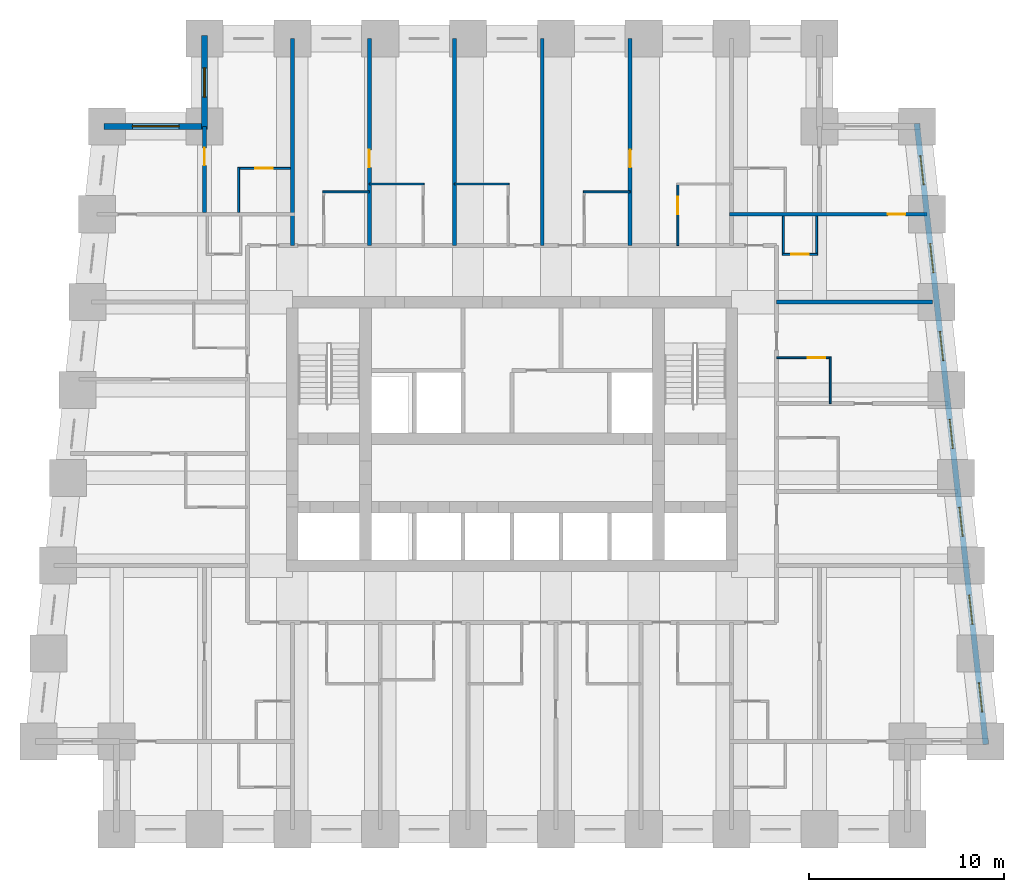
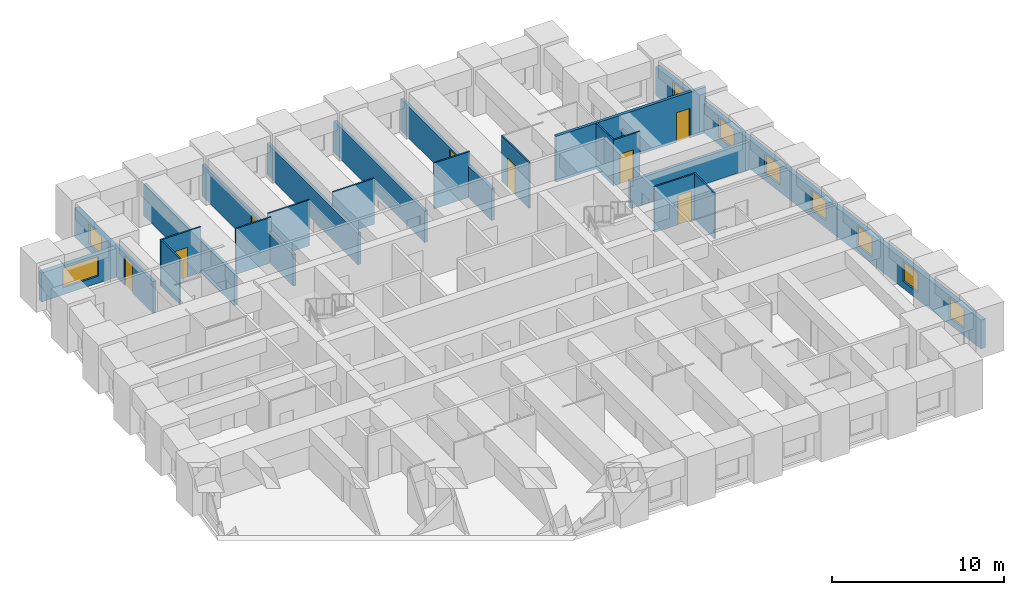
# One storey, part 6 of 8: 23 walls, 9 windows, 8 doors, 17 openings.
"""IFC4 building model written with IfcOpenShell, lengths in metres."""

from ifc_helpers import new_model, si_unit, direction, frame, frame_2d, origin, place, context, subcontext, project, spatial, rectangle, extrude, material, layer, layer_set, type_object, element, fill, save


model = new_model("IFC4")

# Units and contexts
model_context = context("Model", 3, precision=1e-05, world=origin(), true_north=direction((0.0, 1.0)))
body_context = subcontext(model_context, "Body", "Model", "MODEL_VIEW")
ifc_project = project(units=[si_unit("LENGTHUNIT", "METRE"), si_unit("AREAUNIT", "SQUARE_METRE"), si_unit("VOLUMEUNIT", "CUBIC_METRE"), si_unit("PLANEANGLEUNIT", "RADIAN"), si_unit("MASSUNIT", "GRAM", prefix="KILO")], contexts=[model_context])

# Site, building, storey
site_placement = place(None, origin())
site = spatial("IfcSite", under=ifc_project, at=site_placement, CompositionType="ELEMENT")
building_placement = place(site_placement, origin())
building = spatial("IfcBuilding", under=site, at=building_placement, Name="Kilele Tower Hotel", CompositionType="ELEMENT")
storey_placement = place(building_placement, frame((0.0, 0.0, 64.699951171875)))
storey = spatial("IfcBuildingStorey", under=building, at=storey_placement, Name="L15", CompositionType="ELEMENT", Elevation=64.699951171875)

# Wall
ifc_material_1 = material(Name="Moisture-resistant board")
ifc_layer_1 = layer(ifc_material_1, 0.10009765625)
ifc_layer_set_1 = layer_set([ifc_layer_1], Name="Moisture-resistant board")
wall_type_1 = type_object("IfcWallType", Name="Bathroom partition 100", PredefinedType="PLUMBINGWALL", material=ifc_layer_set_1)
wall_1_placement = place(storey_placement, frame((41.050048828125, 21.800048828125, 0.0), z_axis=(0.0, 0.0, 1.0), x_axis=(0.0, 1.0, 0.0)))
element("IfcWall", 1, at=wall_1_placement, inside=storey, type_object=wall_type_1, Name="Bathroom partition 100 L15", PredefinedType="PLUMBINGWALL", context=body_context, shape_type="SweptSolid", body=[
    extrude(rectangle(XDim=2.39990234375, YDim=0.10009765625, at=frame_2d((1.199951171875, 0.0))), origin(), (0.0, 0.0, 1.0), 3.25),
])

# Wall, opening, door
wall_2_placement = place(storey_placement, frame((38.300048828125, 24.14990234375, 0.0), z_axis=(0.0, 0.0, 1.0), x_axis=(1.0, 0.0, 0.0)))
wall_2 = element("IfcWall", 2, at=wall_2_placement, inside=storey, type_object=wall_type_1, Name="Bathroom partition 100 L15", PredefinedType="PLUMBINGWALL", context=body_context, shape_type="SweptSolid", body=[
    extrude(rectangle(XDim=2.800048828125, YDim=0.10009765625, at=frame_2d((1.39990234375, 0.0))), origin(), (0.0, 0.0, 1.0), 3.25),
])
opening_1_placement = place(wall_2_placement, frame((1.60009765625, 0.0, 0.0)))
opening_1 = element("IfcOpeningElement", 3, at=opening_1_placement, cuts=wall_2, Name="Opening D2A", PredefinedType="OPENING", context=body_context, shape_type="SweptSolid", body=[
    extrude(rectangle(XDim=0.89990234375, YDim=2.10009765625, at=frame_2d((0.449951171875, 1.050048828125))), frame((0.0, 0.06005859375, 0.0), z_axis=(0.0, -1.0, 0.0), x_axis=(1.0, 0.0, 0.0)), (0.0, 0.0, 1.0), 0.1201171875),
])
ifc_material_2 = material(Name="Timber door leaf in hardwood frame", Category="wood")
door_type_1 = type_object("IfcDoorType", Name="Bathroom door 900", OperationType="SINGLE_SWING_LEFT", PredefinedType="DOOR", material=ifc_material_2)
door_1_placement = place(opening_1_placement, origin())
door_1 = element("IfcDoor", 4, at=door_1_placement, inside=storey, type_object=door_type_1, Name="Bathroom door 1508B", OperationType="SINGLE_SWING_LEFT", OverallHeight=2.10009765625, OverallWidth=0.89990234375, PredefinedType="DOOR", context=body_context, shape_type="SweptSolid", body=[
    extrude(rectangle(XDim=0.89990234375, YDim=2.10009765625, at=frame_2d((0.449951171875, 1.050048828125))), frame((0.0, 0.02490234375, 0.0), z_axis=(0.0, -1.0, 0.0), x_axis=(1.0, 0.0, 0.0)), (0.0, 0.0, 1.0), 0.050048828125),
])
fill(opening_1, door_1)

# Walls
wall_3_placement = place(storey_placement, frame((15.050048828125, 32.64990234375, 0.0), z_axis=(0.0, 0.0, 1.0), x_axis=(1.0, 0.0, 0.0)))
element("IfcWall", 5, at=wall_3_placement, inside=storey, type_object=wall_type_1, Name="Bathroom partition 100 L15", PredefinedType="PLUMBINGWALL", context=body_context, shape_type="SweptSolid", body=[
    extrude(rectangle(XDim=2.39990234375, YDim=0.10009765625, at=frame_2d((1.199951171875, 0.0))), origin(), (0.0, 0.0, 1.0), 3.25),
])
for number, where, z_axis, x_axis, name in (
    (6, (17.449951171875, 33.050048828125, 0.0), (0.0, 0.0, 1.0), (1.0, 0.0, 0.0), "Bathroom partition 100 L15"),
    (7, (21.800048828125, 33.050048828125, 0.0), (0.0, 0.0, 1.0), (1.0, 0.0, 0.0), "Bathroom partition 100 L15"),
):
    element("IfcWall", number, at=place(storey_placement, frame(where, z_axis=z_axis, x_axis=x_axis)), inside=storey, type_object=wall_type_1, Name=name, PredefinedType="PLUMBINGWALL", context=body_context, shape_type="SweptSolid", body=[
        extrude(rectangle(XDim=2.800048828125, YDim=0.10009765625, at=frame_2d((1.39990234375, 0.0))), origin(), (0.0, 0.0, 1.0), 3.25),
    ])
wall_4_placement = place(storey_placement, frame((28.39990234375, 32.64990234375, 0.0), z_axis=(0.0, 0.0, 1.0), x_axis=(1.0, 0.0, 0.0)))
element("IfcWall", 8, at=wall_4_placement, inside=storey, type_object=wall_type_1, Name="Bathroom partition 100 L15", PredefinedType="PLUMBINGWALL", context=body_context, shape_type="SweptSolid", body=[
    extrude(rectangle(XDim=2.400146484375, YDim=0.10009765625, at=frame_2d((1.2001953125, 0.0))), origin(), (0.0, 0.0, 1.0), 3.25),
])

# Wall, opening, door
wall_5_placement = place(storey_placement, frame((33.25, 29.89990234375, 0.0), z_axis=(0.0, 0.0, 1.0), x_axis=(0.0, 1.0, 0.0)))
wall_5 = element("IfcWall", 9, at=wall_5_placement, inside=storey, type_object=wall_type_1, Name="Bathroom partition 100 L15", PredefinedType="PLUMBINGWALL", context=body_context, shape_type="SweptSolid", body=[
    extrude(rectangle(XDim=3.2001953125, YDim=0.10009765625, at=frame_2d((1.60009765625, 0.0))), origin(), (0.0, 0.0, 1.0), 3.25),
])
opening_2_placement = place(wall_5_placement, frame((1.60009765625, 0.0, 0.0)))
opening_2 = element("IfcOpeningElement", 10, at=opening_2_placement, cuts=wall_5, Name="Opening D2A", PredefinedType="OPENING", context=body_context, shape_type="SweptSolid", body=[
    extrude(rectangle(XDim=0.89990234375, YDim=2.10009765625, at=frame_2d((0.449951171875, 1.050048828125))), frame((0.0, 0.06005859375, 0.0), z_axis=(0.0, -1.0, 0.0), x_axis=(1.0, 0.0, 0.0)), (0.0, 0.0, 1.0), 0.1201171875),
])
door_2_placement = place(opening_2_placement, origin())
door_2 = element("IfcDoor", 11, at=door_2_placement, inside=storey, type_object=door_type_1, Name="Bathroom door 1513B", OperationType="SINGLE_SWING_LEFT", OverallHeight=2.10009765625, OverallWidth=0.89990234375, PredefinedType="DOOR", context=body_context, shape_type="SweptSolid", body=[
    extrude(rectangle(XDim=0.89990234375, YDim=2.10009765625, at=frame_2d((0.449951171875, 1.050048828125))), frame((0.0, 0.02490234375, 0.0), z_axis=(0.0, -1.0, 0.0), x_axis=(1.0, 0.0, 0.0)), (0.0, 0.0, 1.0), 0.050048828125),
])
fill(opening_2, door_2)

# Walls
wall_6_placement = place(storey_placement, frame((40.35009765625, 31.39990234375, 0.0), z_axis=(0.0, 0.0, 1.0), x_axis=(0.0, -1.0, 0.0)))
element("IfcWall", 12, at=wall_6_placement, inside=storey, type_object=wall_type_1, Name="Bathroom partition 100 L15", PredefinedType="PLUMBINGWALL", context=body_context, shape_type="SweptSolid", body=[
    extrude(rectangle(XDim=2.0, YDim=0.10009765625, at=frame_2d((1.0, 0.0))), origin(), (0.0, 0.0, 1.0), 2.25),
])
wall_7_placement = place(storey_placement, frame((38.64990234375, 31.39990234375, 0.0), z_axis=(0.0, 0.0, 1.0), x_axis=(0.0, -1.0, 0.0)))
element("IfcWall", 13, at=wall_7_placement, inside=storey, type_object=wall_type_1, Name="Bathroom partition 100 L15", PredefinedType="PLUMBINGWALL", context=body_context, shape_type="SweptSolid", body=[
    extrude(rectangle(XDim=2.0, YDim=0.10009765625, at=frame_2d((1.0, 0.0))), origin(), (0.0, 0.0, 1.0), 3.25),
])

# Wall, opening, door
wall_8_placement = place(storey_placement, frame((38.60009765625, 29.449951171875, 0.0), z_axis=(0.0, 0.0, 1.0), x_axis=(1.0, 0.0, 0.0)))
wall_8 = element("IfcWall", 14, at=wall_8_placement, inside=storey, type_object=wall_type_1, Name="Bathroom partition 100 L15", PredefinedType="PLUMBINGWALL", context=body_context, shape_type="SweptSolid", body=[
    extrude(rectangle(XDim=1.7998046875, YDim=0.10009765625, at=frame_2d((0.89990234375, 0.0))), origin(), (0.0, 0.0, 1.0), 3.25),
])
opening_3_placement = place(wall_8_placement, frame((1.349853515625, 0.0, 0.0), z_axis=(0.0, 0.0, 1.0), x_axis=(-1.0, 0.0, 0.0)))
opening_3 = element("IfcOpeningElement", 15, at=opening_3_placement, cuts=wall_8, Name="Opening D2A", PredefinedType="OPENING", context=body_context, shape_type="SweptSolid", body=[
    extrude(rectangle(XDim=0.89990234375, YDim=2.10009765625, at=frame_2d((0.449951171875, 1.050048828125))), frame((0.0, 0.06005859375, 0.0), z_axis=(0.0, -1.0, 0.0), x_axis=(1.0, 0.0, 0.0)), (0.0, 0.0, 1.0), 0.1201171875),
])
door_3_placement = place(opening_3_placement, origin())
door_3 = element("IfcDoor", 16, at=door_3_placement, inside=storey, type_object=door_type_1, Name="Bathroom door 1523P", OperationType="SINGLE_SWING_RIGHT", OverallHeight=2.10009765625, OverallWidth=0.89990234375, PredefinedType="DOOR", context=body_context, shape_type="SweptSolid", body=[
    extrude(rectangle(XDim=0.89990234375, YDim=2.10009765625, at=frame_2d((0.449951171875, 1.050048828125))), frame((0.0, 0.02490234375, 0.0), z_axis=(0.0, -1.0, 0.0), x_axis=(1.0, 0.0, 0.0)), (0.0, 0.0, 1.0), 0.050048828125),
])
fill(opening_3, door_3)

# Wall
wall_9_placement = place(storey_placement, frame((10.75, 31.60009765625, 0.0), z_axis=(0.0, 0.0, 1.0), x_axis=(0.0, 1.0, 0.0)))
element("IfcWall", 17, at=wall_9_placement, inside=storey, type_object=wall_type_1, Name="Bathroom partition 100 L15", PredefinedType="PLUMBINGWALL", context=body_context, shape_type="SweptSolid", body=[
    extrude(rectangle(XDim=2.2998046875, YDim=0.10009765625, at=frame_2d((1.14990234375, 0.0))), origin(), (0.0, 0.0, 1.0), 3.25),
])

# Wall, opening, door
wall_10_placement = place(storey_placement, frame((13.39990234375, 33.85009765625, 0.0), z_axis=(0.0, 0.0, 1.0), x_axis=(-1.0, 0.0, 0.0)))
wall_10 = element("IfcWall", 18, at=wall_10_placement, inside=storey, type_object=wall_type_1, Name="Bathroom partition 100 L15", PredefinedType="PLUMBINGWALL", context=body_context, shape_type="SweptSolid", body=[
    extrude(rectangle(XDim=2.699951171875, YDim=0.10009765625, at=frame_2d((1.35009765625, 0.0))), origin(), (0.0, 0.0, 1.0), 3.25),
])
opening_4_placement = place(wall_10_placement, frame((1.7998046875, 0.0, 0.0), z_axis=(0.0, 0.0, 1.0), x_axis=(-1.0, 0.0, 0.0)))
opening_4 = element("IfcOpeningElement", 19, at=opening_4_placement, cuts=wall_10, Name="Opening D2A", PredefinedType="OPENING", context=body_context, shape_type="SweptSolid", body=[
    extrude(rectangle(XDim=0.89990234375, YDim=2.10009765625, at=frame_2d((0.449951171875, 1.050048828125))), frame((0.0, 0.06005859375, 0.0), z_axis=(0.0, -1.0, 0.0), x_axis=(1.0, 0.0, 0.0)), (0.0, 0.0, 1.0), 0.1201171875),
])
door_4_placement = place(opening_4_placement, origin())
door_4 = element("IfcDoor", 20, at=door_4_placement, inside=storey, type_object=door_type_1, Name="Bathroom door 1527B", OperationType="SINGLE_SWING_RIGHT", OverallHeight=2.10009765625, OverallWidth=0.89990234375, PredefinedType="DOOR", context=body_context, shape_type="SweptSolid", body=[
    extrude(rectangle(XDim=0.89990234375, YDim=2.10009765625, at=frame_2d((0.449951171875, 1.050048828125))), frame((0.0, 0.02490234375, 0.0), z_axis=(0.0, -1.0, 0.0), x_axis=(1.0, 0.0, 0.0)), (0.0, 0.0, 1.0), 0.050048828125),
])
fill(opening_4, door_4)

ifc_material_3 = material(Name="Blockwork, plastered both sides", Category="masonry")
ifc_layer_2 = layer(ifc_material_3, 0.199951171875)
ifc_layer_set_2 = layer_set([ifc_layer_2], Name="Blockwork, plastered both sides")
wall_type_2 = type_object("IfcWallType", Name="Partition wall 200", PredefinedType="PARTITIONING", material=ifc_layer_set_2)
wall_11_placement = place(storey_placement, frame((9.0, 31.60009765625, 0.0), z_axis=(0.0, 0.0, 1.0), x_axis=(0.0, 1.0, 0.0)))
wall_11 = element("IfcWall", 21, at=wall_11_placement, inside=storey, type_object=wall_type_2, Name="Partition wall 200 L15", PredefinedType="PARTITIONING", context=body_context, shape_type="SweptSolid", body=[
    extrude(rectangle(XDim=4.39990234375, YDim=0.199951171875, at=frame_2d((2.199951171875, 0.0))), origin(), (0.0, 0.0, 1.0), 2.25),
])
opening_5_placement = place(wall_11_placement, frame((2.39990234375, 0.0, 0.0)))
opening_5 = element("IfcOpeningElement", 22, at=opening_5_placement, cuts=wall_11, Name="Opening D3", PredefinedType="OPENING", context=body_context, shape_type="SweptSolid", body=[
    extrude(rectangle(XDim=0.89990234375, YDim=2.10009765625, at=frame_2d((0.449951171875, 1.050048828125))), frame((0.0, 0.10986328125, 0.0), z_axis=(0.0, -1.0, 0.0), x_axis=(1.0, 0.0, 0.0)), (0.0, 0.0, 1.0), 0.219970703125),
])
ifc_material_4 = material(Name="Timber door leaf in hardwood frame", Category="wood")
door_type_2 = type_object("IfcDoorType", Name="Suite internal door 900", OperationType="SINGLE_SWING_LEFT", PredefinedType="DOOR", material=ifc_material_4)
door_5_placement = place(opening_5_placement, origin())
door_5 = element("IfcDoor", 23, at=door_5_placement, inside=storey, type_object=door_type_2, Name="Suite door 1528", OperationType="SINGLE_SWING_RIGHT", OverallHeight=2.10009765625, OverallWidth=0.89990234375, PredefinedType="DOOR", context=body_context, shape_type="SweptSolid", body=[
    extrude(rectangle(XDim=0.89990234375, YDim=2.10009765625, at=frame_2d((0.449951171875, 1.050048828125))), frame((0.0, 0.02490234375, 0.0), z_axis=(0.0, -1.0, 0.0), x_axis=(1.0, 0.0, 0.0)), (0.0, 0.0, 1.0), 0.050048828125),
])
fill(opening_5, door_5)

ifc_material_5 = material(Name="Blockwork, plastered both sides", Category="masonry")
ifc_layer_3 = layer(ifc_material_5, 0.199951171875)
ifc_layer_set_3 = layer_set([ifc_layer_3], Name="Blockwork, plastered both sides")
wall_type_3 = type_object("IfcWallType", Name="Party wall 200", PredefinedType="PARTITIONING", material=ifc_layer_set_3)
wall_12_placement = place(storey_placement, frame((17.449951171875, 29.89990234375, 0.0), z_axis=(0.0, 0.0, 1.0), x_axis=(0.0, 1.0, 0.0)))
wall_12 = element("IfcWall", 24, at=wall_12_placement, inside=storey, type_object=wall_type_3, Name="Party wall 200 L15", PredefinedType="PARTITIONING", context=body_context, shape_type="SweptSolid", body=[
    extrude(rectangle(XDim=10.60009765625, YDim=0.199951171875, at=frame_2d((5.300048828125, 0.0))), origin(), (0.0, 0.0, 1.0), 2.25),
])
opening_6_placement = place(wall_12_placement, frame((4.89990234375, 0.0, 0.0), z_axis=(0.0, 0.0, 1.0), x_axis=(-1.0, 0.0, 0.0)))
opening_6 = element("IfcOpeningElement", 25, at=opening_6_placement, cuts=wall_12, Name="Opening D3", PredefinedType="OPENING", context=body_context, shape_type="SweptSolid", body=[
    extrude(rectangle(XDim=0.89990234375, YDim=2.10009765625, at=frame_2d((0.449951171875, 1.050048828125))), frame((0.0, 0.10986328125, 0.0), z_axis=(0.0, -1.0, 0.0), x_axis=(1.0, 0.0, 0.0)), (0.0, 0.0, 1.0), 0.219970703125),
])
door_6_placement = place(opening_6_placement, origin())
door_6 = element("IfcDoor", 26, at=door_6_placement, inside=storey, type_object=door_type_2, Name="Suite door 1510", OperationType="SINGLE_SWING_RIGHT", OverallHeight=2.10009765625, OverallWidth=0.89990234375, PredefinedType="DOOR", context=body_context, shape_type="SweptSolid", body=[
    extrude(rectangle(XDim=0.89990234375, YDim=2.10009765625, at=frame_2d((0.449951171875, 1.050048828125))), frame((0.0, 0.02490234375, 0.0), z_axis=(0.0, -1.0, 0.0), x_axis=(1.0, 0.0, 0.0)), (0.0, 0.0, 1.0), 0.050048828125),
])
fill(opening_6, door_6)

# Walls
for number, where, z_axis, x_axis, name in (
    (27, (21.800048828125, 29.89990234375, 0.0), (0.0, 0.0, 1.0), (0.0, 1.0, 0.0), "Party wall 200 L15"),
    (28, (26.300048828125, 29.89990234375, 0.0), (0.0, 0.0, 1.0), (0.0, 1.0, 0.0), "Party wall 200 L15"),
):
    element("IfcWall", number, at=place(storey_placement, frame(where, z_axis=z_axis, x_axis=x_axis)), inside=storey, type_object=wall_type_3, Name=name, PredefinedType="PARTITIONING", context=body_context, shape_type="SweptSolid", body=[
        extrude(rectangle(XDim=10.60009765625, YDim=0.199951171875, at=frame_2d((5.300048828125, 0.0))), origin(), (0.0, 0.0, 1.0), 2.25),
    ])

# Wall, opening, door
wall_13_placement = place(storey_placement, frame((30.800048828125, 29.89990234375, 0.0), z_axis=(0.0, 0.0, 1.0), x_axis=(0.0, 1.0, 0.0)))
wall_13 = element("IfcWall", 29, at=wall_13_placement, inside=storey, type_object=wall_type_3, Name="Party wall 200 L15", PredefinedType="PARTITIONING", context=body_context, shape_type="SweptSolid", body=[
    extrude(rectangle(XDim=10.60009765625, YDim=0.199951171875, at=frame_2d((5.300048828125, 0.0))), origin(), (0.0, 0.0, 1.0), 2.25),
])
opening_7_placement = place(wall_13_placement, frame((4.0, 0.0, 0.0)))
opening_7 = element("IfcOpeningElement", 30, at=opening_7_placement, cuts=wall_13, Name="Opening D3", PredefinedType="OPENING", context=body_context, shape_type="SweptSolid", body=[
    extrude(rectangle(XDim=0.89990234375, YDim=2.10009765625, at=frame_2d((0.449951171875, 1.050048828125))), frame((0.0, 0.10986328125, 0.0), z_axis=(0.0, -1.0, 0.0), x_axis=(1.0, 0.0, 0.0)), (0.0, 0.0, 1.0), 0.219970703125),
])
door_7_placement = place(opening_7_placement, origin())
door_7 = element("IfcDoor", 31, at=door_7_placement, inside=storey, type_object=door_type_2, Name="Suite door 1513", OperationType="SINGLE_SWING_LEFT", OverallHeight=2.10009765625, OverallWidth=0.89990234375, PredefinedType="DOOR", context=body_context, shape_type="SweptSolid", body=[
    extrude(rectangle(XDim=0.89990234375, YDim=2.10009765625, at=frame_2d((0.449951171875, 1.050048828125))), frame((0.0, 0.02490234375, 0.0), z_axis=(0.0, -1.0, 0.0), x_axis=(1.0, 0.0, 0.0)), (0.0, 0.0, 1.0), 0.050048828125),
])
fill(opening_7, door_7)

# Wall
wall_14_placement = place(storey_placement, frame((38.300048828125, 27.0, 0.0), z_axis=(0.0, 0.0, 1.0), x_axis=(1.0, 0.0, 0.0)))
element("IfcWall", 32, at=wall_14_placement, inside=storey, type_object=wall_type_3, Name="Party wall 200 L15", PredefinedType="PARTITIONING", context=body_context, shape_type="SweptSolid", body=[
    extrude(rectangle(XDim=7.976806640625, YDim=0.199951171875, at=frame_2d((3.98828125, 0.0))), origin(), (0.0, 0.0, 1.0), 1.949951171875),
])

# Wall, opening, door
wall_15_placement = place(storey_placement, frame((35.89990234375, 31.5, 0.0), z_axis=(0.0, 0.0, 1.0), x_axis=(1.0, 0.0, 0.0)))
wall_15 = element("IfcWall", 33, at=wall_15_placement, inside=storey, type_object=wall_type_3, Name="Party wall 200 L15", PredefinedType="PARTITIONING", context=body_context, shape_type="SweptSolid", body=[
    extrude(rectangle(XDim=10.09912109375, YDim=0.199951171875, at=frame_2d((5.049560546875, 0.0))), origin(), (0.0, 0.0, 1.0), 3.25),
])
opening_8_placement = place(wall_15_placement, frame((8.09912109375, 0.0, 0.0)))
opening_8 = element("IfcOpeningElement", 34, at=opening_8_placement, cuts=wall_15, Name="Opening D3", PredefinedType="OPENING", context=body_context, shape_type="SweptSolid", body=[
    extrude(rectangle(XDim=0.89990234375, YDim=2.10009765625, at=frame_2d((0.449951171875, 1.050048828125))), frame((0.0, 0.10986328125, 0.0), z_axis=(0.0, -1.0, 0.0), x_axis=(1.0, 0.0, 0.0)), (0.0, 0.0, 1.0), 0.219970703125),
])
door_8_placement = place(opening_8_placement, origin())
door_8 = element("IfcDoor", 35, at=door_8_placement, inside=storey, type_object=door_type_2, Name="Suite door 1524", OperationType="SINGLE_SWING_RIGHT", OverallHeight=2.10009765625, OverallWidth=0.89990234375, PredefinedType="DOOR", context=body_context, shape_type="SweptSolid", body=[
    extrude(rectangle(XDim=0.89990234375, YDim=2.10009765625, at=frame_2d((0.449951171875, 1.050048828125))), frame((0.0, 0.02490234375, 0.0), z_axis=(0.0, -1.0, 0.0), x_axis=(1.0, 0.0, 0.0)), (0.0, 0.0, 1.0), 0.050048828125),
])
fill(opening_8, door_8)

# Wall
wall_16_placement = place(storey_placement, frame((13.5, 29.89990234375, 0.0), z_axis=(0.0, 0.0, 1.0), x_axis=(0.0, 1.0, 0.0)))
element("IfcWall", 36, at=wall_16_placement, inside=storey, type_object=wall_type_3, Name="Party wall 200 L15", PredefinedType="PARTITIONING", context=body_context, shape_type="SweptSolid", body=[
    extrude(rectangle(XDim=10.60009765625, YDim=0.199951171875, at=frame_2d((5.300048828125, 0.0))), origin(), (0.0, 0.0, 1.0), 2.25),
])

# Wall, openings, windows
ifc_material_6 = material(Name="Concrete C40/50 precast", Category="concrete")
ifc_layer_4 = layer(ifc_material_6, 0.260009765625, Name="Precast backing", Category="LoadBearing")
ifc_material_7 = material(Name="Reconstituted stone finish", Category="masonry")
ifc_layer_5 = layer(ifc_material_7, 0.0400390625, Name="Face mix", Category="Finish")
ifc_layer_set_4 = layer_set([ifc_layer_4, ifc_layer_5], Name="Precast concrete C40/50, reconstituted stone finish")
wall_type_4 = type_object("IfcWallType", Name="Precast stone facade wall 300", PredefinedType="STANDARD", material=ifc_layer_set_4)
wall_17_placement = place(storey_placement, frame((49.0166015625, 4.350830078125, 0.0), z_axis=(0.0, 0.0, 1.0), x_axis=(-0.110433201132, 0.993883548555, 0.0)))
wall_17 = element("IfcWall", 37, at=wall_17_placement, inside=storey, type_object=wall_type_4, Name="Facade wall L15 edge 6", PredefinedType="STANDARD", context=body_context, shape_type="SweptSolid", body=[
    extrude(rectangle(XDim=31.994140625, YDim=0.300048828125, at=frame_2d((15.9970703125, 0.0))), origin(), (0.0, 0.0, 1.0), 2.050048828125),
])
opening_9_placement = place(wall_17_placement, frame((1.6640625, 0.0, 0.5)))
opening_9 = element("IfcOpeningElement", 38, at=opening_9_placement, cuts=wall_17, Name="Opening W1", PredefinedType="OPENING", context=body_context, shape_type="SweptSolid", body=[
    extrude(rectangle(XDim=1.5, YDim=1.39990234375, at=frame_2d((0.75, 0.699951171875))), frame((0.0, 0.159912109375, 0.0), z_axis=(0.0, -1.0, 0.0), x_axis=(1.0, 0.0, 0.0)), (0.0, 0.0, 1.0), 0.320068359375),
])
opening_10_placement = place(wall_17_placement, frame((6.19189453125, 0.0, 0.5)))
opening_10 = element("IfcOpeningElement", 39, at=opening_10_placement, cuts=wall_17, Name="Opening W1", PredefinedType="OPENING", context=body_context, shape_type="SweptSolid", body=[
    extrude(rectangle(XDim=1.5, YDim=1.39990234375, at=frame_2d((0.75, 0.699951171875))), frame((0.0, 0.159912109375, 0.0), z_axis=(0.0, -1.0, 0.0), x_axis=(1.0, 0.0, 0.0)), (0.0, 0.0, 1.0), 0.320068359375),
])
opening_11_placement = place(wall_17_placement, frame((10.718994140625, 0.0, 0.5)))
opening_11 = element("IfcOpeningElement", 40, at=opening_11_placement, cuts=wall_17, Name="Opening W1", PredefinedType="OPENING", context=body_context, shape_type="SweptSolid", body=[
    extrude(rectangle(XDim=1.5, YDim=1.39990234375, at=frame_2d((0.75, 0.699951171875))), frame((0.0, 0.159912109375, 0.0), z_axis=(0.0, -1.0, 0.0), x_axis=(1.0, 0.0, 0.0)), (0.0, 0.0, 1.0), 0.320068359375),
])
opening_12_placement = place(wall_17_placement, frame((15.2470703125, 0.0, 0.5)))
opening_12 = element("IfcOpeningElement", 41, at=opening_12_placement, cuts=wall_17, Name="Opening W1", PredefinedType="OPENING", context=body_context, shape_type="SweptSolid", body=[
    extrude(rectangle(XDim=1.5, YDim=1.39990234375, at=frame_2d((0.75, 0.699951171875))), frame((0.0, 0.159912109375, 0.0), z_axis=(0.0, -1.0, 0.0), x_axis=(1.0, 0.0, 0.0)), (0.0, 0.0, 1.0), 0.320068359375),
])
opening_13_placement = place(wall_17_placement, frame((19.77490234375, 0.0, 0.5)))
opening_13 = element("IfcOpeningElement", 42, at=opening_13_placement, cuts=wall_17, Name="Opening W1", PredefinedType="OPENING", context=body_context, shape_type="SweptSolid", body=[
    extrude(rectangle(XDim=1.5, YDim=1.39990234375, at=frame_2d((0.75, 0.699951171875))), frame((0.0, 0.159912109375, 0.0), z_axis=(0.0, -1.0, 0.0), x_axis=(1.0, 0.0, 0.0)), (0.0, 0.0, 1.0), 0.320068359375),
])
opening_14_placement = place(wall_17_placement, frame((24.302001953125, 0.0, 0.5)))
opening_14 = element("IfcOpeningElement", 43, at=opening_14_placement, cuts=wall_17, Name="Opening W1", PredefinedType="OPENING", context=body_context, shape_type="SweptSolid", body=[
    extrude(rectangle(XDim=1.5, YDim=1.39990234375, at=frame_2d((0.75, 0.699951171875))), frame((0.0, 0.159912109375, 0.0), z_axis=(0.0, -1.0, 0.0), x_axis=(1.0, 0.0, 0.0)), (0.0, 0.0, 1.0), 0.320068359375),
])
opening_15_placement = place(wall_17_placement, frame((28.830078125, 0.0, 0.5)))
opening_15 = element("IfcOpeningElement", 44, at=opening_15_placement, cuts=wall_17, Name="Opening W1", PredefinedType="OPENING", context=body_context, shape_type="SweptSolid", body=[
    extrude(rectangle(XDim=1.5, YDim=1.39990234375, at=frame_2d((0.75, 0.699951171875))), frame((0.0, 0.159912109375, 0.0), z_axis=(0.0, -1.0, 0.0), x_axis=(1.0, 0.0, 0.0)), (0.0, 0.0, 1.0), 0.320068359375),
])
ifc_material_8 = material(Name="Aluminium frame, clear double glazing", Category="aluminium")
window_type_1 = type_object("IfcWindowType", Name="Window W1 1500 x 1400", PartitioningType="SINGLE_PANEL", PredefinedType="WINDOW", material=ifc_material_8)
window_1_placement = place(opening_9_placement, origin())
window_1 = element("IfcWindow", 45, at=window_1_placement, inside=storey, type_object=window_type_1, Name="Window L15", OverallHeight=1.39990234375, OverallWidth=1.5, PartitioningType="SINGLE_PANEL", PredefinedType="WINDOW", context=body_context, shape_type="SweptSolid", body=[
    extrude(rectangle(XDim=1.5, YDim=1.39990234375, at=frame_2d((0.75, 0.699951171875))), frame((0.0, 0.030029296875, 0.0), z_axis=(0.0, -1.0, 0.0), x_axis=(1.0, 0.0, 0.0)), (0.0, 0.0, 1.0), 0.06005859375),
])
fill(opening_9, window_1)
window_2_placement = place(opening_10_placement, origin())
window_2 = element("IfcWindow", 46, at=window_2_placement, inside=storey, type_object=window_type_1, Name="Window L15", OverallHeight=1.39990234375, OverallWidth=1.5, PartitioningType="SINGLE_PANEL", PredefinedType="WINDOW", context=body_context, shape_type="SweptSolid", body=[
    extrude(rectangle(XDim=1.5, YDim=1.39990234375, at=frame_2d((0.75, 0.699951171875))), frame((0.0, 0.030029296875, 0.0), z_axis=(0.0, -1.0, 0.0), x_axis=(1.0, 0.0, 0.0)), (0.0, 0.0, 1.0), 0.06005859375),
])
fill(opening_10, window_2)
window_3_placement = place(opening_11_placement, origin())
window_3 = element("IfcWindow", 47, at=window_3_placement, inside=storey, type_object=window_type_1, Name="Window L15", OverallHeight=1.39990234375, OverallWidth=1.5, PartitioningType="SINGLE_PANEL", PredefinedType="WINDOW", context=body_context, shape_type="SweptSolid", body=[
    extrude(rectangle(XDim=1.5, YDim=1.39990234375, at=frame_2d((0.75, 0.699951171875))), frame((0.0, 0.030029296875, 0.0), z_axis=(0.0, -1.0, 0.0), x_axis=(1.0, 0.0, 0.0)), (0.0, 0.0, 1.0), 0.06005859375),
])
fill(opening_11, window_3)
window_4_placement = place(opening_12_placement, origin())
window_4 = element("IfcWindow", 48, at=window_4_placement, inside=storey, type_object=window_type_1, Name="Window L15", OverallHeight=1.39990234375, OverallWidth=1.5, PartitioningType="SINGLE_PANEL", PredefinedType="WINDOW", context=body_context, shape_type="SweptSolid", body=[
    extrude(rectangle(XDim=1.5, YDim=1.39990234375, at=frame_2d((0.75, 0.699951171875))), frame((0.0, 0.030029296875, 0.0), z_axis=(0.0, -1.0, 0.0), x_axis=(1.0, 0.0, 0.0)), (0.0, 0.0, 1.0), 0.06005859375),
])
fill(opening_12, window_4)
window_5_placement = place(opening_13_placement, origin())
window_5 = element("IfcWindow", 49, at=window_5_placement, inside=storey, type_object=window_type_1, Name="Window L15", OverallHeight=1.39990234375, OverallWidth=1.5, PartitioningType="SINGLE_PANEL", PredefinedType="WINDOW", context=body_context, shape_type="SweptSolid", body=[
    extrude(rectangle(XDim=1.5, YDim=1.39990234375, at=frame_2d((0.75, 0.699951171875))), frame((0.0, 0.030029296875, 0.0), z_axis=(0.0, -1.0, 0.0), x_axis=(1.0, 0.0, 0.0)), (0.0, 0.0, 1.0), 0.06005859375),
])
fill(opening_13, window_5)
window_6_placement = place(opening_14_placement, origin())
window_6 = element("IfcWindow", 50, at=window_6_placement, inside=storey, type_object=window_type_1, Name="Window L15", OverallHeight=1.39990234375, OverallWidth=1.5, PartitioningType="SINGLE_PANEL", PredefinedType="WINDOW", context=body_context, shape_type="SweptSolid", body=[
    extrude(rectangle(XDim=1.5, YDim=1.39990234375, at=frame_2d((0.75, 0.699951171875))), frame((0.0, 0.030029296875, 0.0), z_axis=(0.0, -1.0, 0.0), x_axis=(1.0, 0.0, 0.0)), (0.0, 0.0, 1.0), 0.06005859375),
])
fill(opening_14, window_6)
window_7_placement = place(opening_15_placement, origin())
window_7 = element("IfcWindow", 51, at=window_7_placement, inside=storey, type_object=window_type_1, Name="Window L15", OverallHeight=1.39990234375, OverallWidth=1.5, PartitioningType="SINGLE_PANEL", PredefinedType="WINDOW", context=body_context, shape_type="SweptSolid", body=[
    extrude(rectangle(XDim=1.5, YDim=1.39990234375, at=frame_2d((0.75, 0.699951171875))), frame((0.0, 0.030029296875, 0.0), z_axis=(0.0, -1.0, 0.0), x_axis=(1.0, 0.0, 0.0)), (0.0, 0.0, 1.0), 0.06005859375),
])
fill(opening_15, window_7)

# Wall, opening, window
wall_18_placement = place(storey_placement, frame((9.0, 40.64990234375, 0.0), z_axis=(0.0, 0.0, 1.0), x_axis=(0.0, -1.0, 0.0)))
wall_18 = element("IfcWall", 52, at=wall_18_placement, inside=storey, type_object=wall_type_4, Name="Facade wall L15 edge 10", PredefinedType="STANDARD", context=body_context, shape_type="SweptSolid", body=[
    extrude(rectangle(XDim=4.7998046875, YDim=0.300048828125, at=frame_2d((2.39990234375, 0.0))), origin(), (0.0, 0.0, 1.0), 2.050048828125),
])
opening_16_placement = place(wall_18_placement, frame((1.64990234375, 0.0, 0.5)))
opening_16 = element("IfcOpeningElement", 53, at=opening_16_placement, cuts=wall_18, Name="Opening W1", PredefinedType="OPENING", context=body_context, shape_type="SweptSolid", body=[
    extrude(rectangle(XDim=1.5, YDim=1.39990234375, at=frame_2d((0.75, 0.699951171875))), frame((0.0, 0.159912109375, 0.0), z_axis=(0.0, -1.0, 0.0), x_axis=(1.0, 0.0, 0.0)), (0.0, 0.0, 1.0), 0.320068359375),
])
window_8_placement = place(opening_16_placement, origin())
window_8 = element("IfcWindow", 54, at=window_8_placement, inside=storey, type_object=window_type_1, Name="Window L15", OverallHeight=1.39990234375, OverallWidth=1.5, PartitioningType="SINGLE_PANEL", PredefinedType="WINDOW", context=body_context, shape_type="SweptSolid", body=[
    extrude(rectangle(XDim=1.5, YDim=1.39990234375, at=frame_2d((0.75, 0.699951171875))), frame((0.0, 0.030029296875, 0.0), z_axis=(0.0, -1.0, 0.0), x_axis=(1.0, 0.0, 0.0)), (0.0, 0.0, 1.0), 0.06005859375),
])
fill(opening_16, window_8)

wall_19_placement = place(storey_placement, frame((9.14990234375, 36.0, 0.0), z_axis=(0.0, 0.0, 1.0), x_axis=(-1.0, 0.0, 0.0)))
wall_19 = element("IfcWall", 55, at=wall_19_placement, inside=storey, type_object=wall_type_4, Name="Facade wall L15 edge 11", PredefinedType="STANDARD", context=body_context, shape_type="SweptSolid", body=[
    extrude(rectangle(XDim=5.2998046875, YDim=0.300048828125, at=frame_2d((2.64990234375, 0.0))), origin(), (0.0, 0.0, 1.0), 2.050048828125),
])
opening_17_placement = place(wall_19_placement, frame((1.449951171875, 0.0, 0.5)))
opening_17 = element("IfcOpeningElement", 56, at=opening_17_placement, cuts=wall_19, Name="Opening W1", PredefinedType="OPENING", context=body_context, shape_type="SweptSolid", body=[
    extrude(rectangle(XDim=2.39990234375, YDim=1.39990234375, at=frame_2d((1.199951171875, 0.699951171875))), frame((0.0, 0.159912109375, 0.0), z_axis=(0.0, -1.0, 0.0), x_axis=(1.0, 0.0, 0.0)), (0.0, 0.0, 1.0), 0.320068359375),
])
ifc_material_9 = material(Name="Aluminium frame, clear double glazing", Category="aluminium")
window_type_2 = type_object("IfcWindowType", Name="Window W1 2400 x 1400", PartitioningType="SINGLE_PANEL", PredefinedType="WINDOW", material=ifc_material_9)
window_9_placement = place(opening_17_placement, origin())
window_9 = element("IfcWindow", 57, at=window_9_placement, inside=storey, type_object=window_type_2, Name="Window L15", OverallHeight=1.39990234375, OverallWidth=2.39990234375, PartitioningType="SINGLE_PANEL", PredefinedType="WINDOW", context=body_context, shape_type="SweptSolid", body=[
    extrude(rectangle(XDim=2.39990234375, YDim=1.39990234375, at=frame_2d((1.199951171875, 0.699951171875))), frame((0.0, 0.030029296875, 0.0), z_axis=(0.0, -1.0, 0.0), x_axis=(1.0, 0.0, 0.0)), (0.0, 0.0, 1.0), 0.06005859375),
])
fill(opening_17, window_9)

save(model, "model.ifc")
